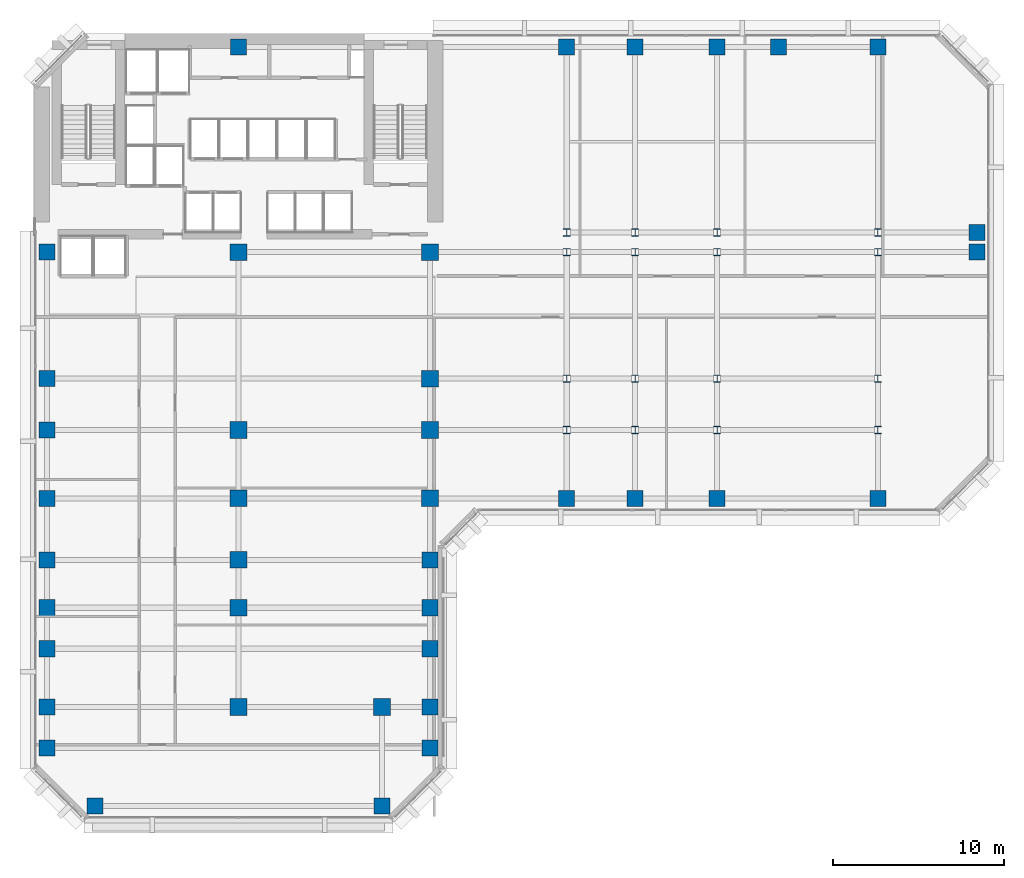
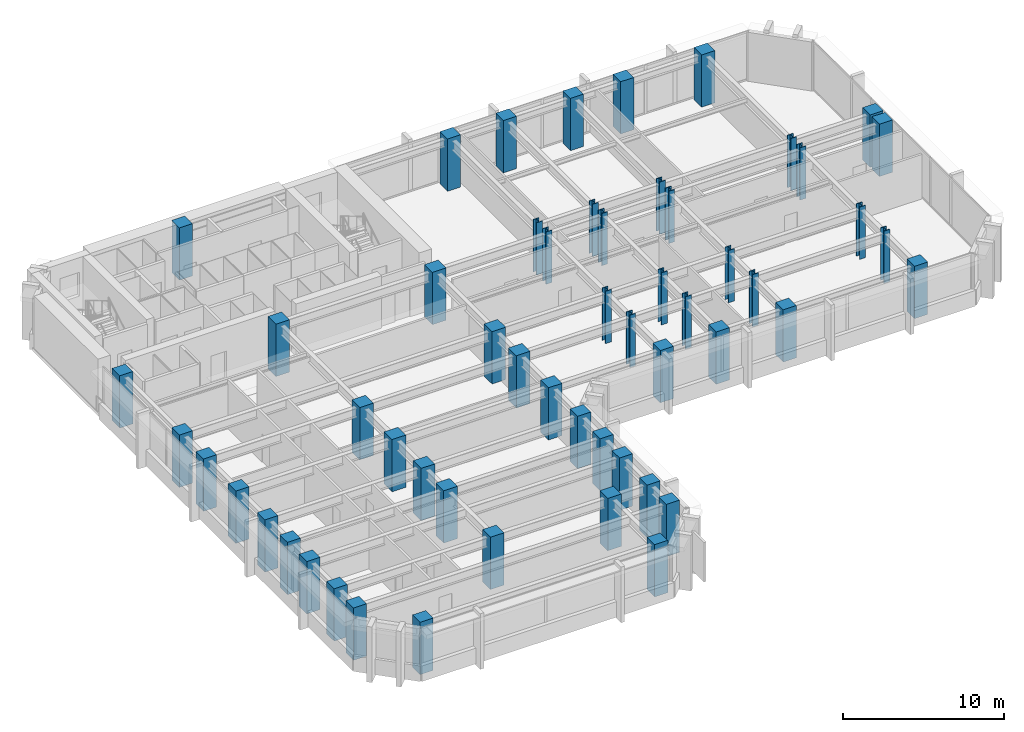
# One storey, part 1 of 13: 55 columns.
"""IFC4 building model written with IfcOpenShell, lengths in metres."""

from ifc_helpers import new_model, si_unit, direction, frame, origin, origin_2d, place, context, subcontext, project, spatial, rectangle, i_section, extrude, material, material_profile, profile_set, type_object, element, save


model = new_model("IFC4")

# Units and contexts
model_context = context("Model", 3, precision=1e-05, world=origin(), true_north=direction((0.0, 1.0)))
body_context = subcontext(model_context, "Body", "Model", "MODEL_VIEW")
ifc_project = project(units=[si_unit("LENGTHUNIT", "METRE"), si_unit("AREAUNIT", "SQUARE_METRE"), si_unit("VOLUMEUNIT", "CUBIC_METRE"), si_unit("PLANEANGLEUNIT", "RADIAN"), si_unit("MASSUNIT", "GRAM", prefix="KILO")], contexts=[model_context])

# Site, building, storey
site_placement = place(None, origin())
site = spatial("IfcSite", under=ifc_project, at=site_placement, CompositionType="ELEMENT")
building_placement = place(site_placement, origin())
building = spatial("IfcBuilding", under=site, at=building_placement, Name="Kefirva Bronze Tower", CompositionType="ELEMENT")
storey_placement = place(building_placement, frame((0.0, 0.0, 98.669921875)))
storey = spatial("IfcBuildingStorey", under=building, at=storey_placement, Name="L23", CompositionType="ELEMENT", Elevation=98.669921875)

# Columns
ifc_material_1 = material(Name="Concrete C60/75", Category="concrete")
ifc_material_profile_1 = material_profile(ifc_material_1, rectangle(XDim=0.93994140625, YDim=0.93994140625, at=origin_2d()), Name="RC 940x940")
ifc_profile_set_1 = profile_set([ifc_material_profile_1], Name="Concrete C60/75")
column_type_1 = type_object("IfcColumnType", Name="RC Column 940x940 Ext", PredefinedType="COLUMN", material=ifc_profile_set_1)
for number, where, z_axis, x_axis, name in (
    (1, (0.800048828125, 4.199951171875, 0.0), (0.0, 0.0, 1.0), (1.0, 0.0, 0.0), "L23 Column C008_042"),
    (2, (0.800048828125, 6.60009765625, 0.0), (0.0, 0.0, 1.0), (1.0, 0.0, 0.0), "L23 Column C008_066"),
    (3, (0.800048828125, 10.0, 0.0), (0.0, 0.0, 1.0), (1.0, 0.0, 0.0), "L23 Column C008_100"),
    (4, (0.800048828125, 12.39990234375, 0.0), (0.0, 0.0, 1.0), (1.0, 0.0, 0.0), "L23 Column C008_124"),
    (5, (0.800048828125, 15.199951171875, 0.0), (0.0, 0.0, 1.0), (1.0, 0.0, 0.0), "L23 Column C008_152"),
    (6, (0.800048828125, 18.800048828125, 0.0), (0.0, 0.0, 1.0), (1.0, 0.0, 0.0), "L23 Column C008_188"),
    (7, (0.800048828125, 22.800048828125, 0.0), (0.0, 0.0, 1.0), (1.0, 0.0, 0.0), "L23 Column C008_228"),
    (8, (0.800048828125, 25.800048828125, 0.0), (0.0, 0.0, 1.0), (1.0, 0.0, 0.0), "L23 Column C008_258"),
    (9, (0.800048828125, 33.199951171875, 0.0), (0.0, 0.0, 1.0), (1.0, 0.0, 0.0), "L23 Column C008_332"),
    (10, (3.60009765625, 0.800048828125, 0.0), (0.0, 0.0, 1.0), (1.0, 0.0, 0.0), "L23 Column C036_008"),
    (11, (12.0, 45.199951171875, 0.0), (0.0, 0.0, 1.0), (1.0, 0.0, 0.0), "L23 Column C120_452"),
    (12, (20.39990234375, 0.800048828125, 0.0), (0.0, 0.0, 1.0), (1.0, 0.0, 0.0), "L23 Column C204_008"),
    (13, (23.199951171875, 4.199951171875, 0.0), (0.0, 0.0, 1.0), (1.0, 0.0, 0.0), "L23 Column C232_042"),
    (14, (23.199951171875, 6.60009765625, 0.0), (0.0, 0.0, 1.0), (1.0, 0.0, 0.0), "L23 Column C232_066"),
    (15, (23.199951171875, 10.0, 0.0), (0.0, 0.0, 1.0), (1.0, 0.0, 0.0), "L23 Column C232_100"),
    (16, (23.199951171875, 12.39990234375, 0.0), (0.0, 0.0, 1.0), (1.0, 0.0, 0.0), "L23 Column C232_124"),
    (17, (23.199951171875, 15.199951171875, 0.0), (0.0, 0.0, 1.0), (1.0, 0.0, 0.0), "L23 Column C232_152"),
    (18, (31.199951171875, 18.800048828125, 0.0), (0.0, 0.0, 1.0), (1.0, 0.0, 0.0), "L23 Column C312_188"),
    (19, (31.199951171875, 45.199951171875, 0.0), (0.0, 0.0, 1.0), (1.0, 0.0, 0.0), "L23 Column C312_452"),
    (20, (35.199951171875, 18.800048828125, 0.0), (0.0, 0.0, 1.0), (1.0, 0.0, 0.0), "L23 Column C352_188"),
    (21, (35.199951171875, 45.199951171875, 0.0), (0.0, 0.0, 1.0), (1.0, 0.0, 0.0), "L23 Column C352_452"),
    (22, (40.0, 18.800048828125, 0.0), (0.0, 0.0, 1.0), (1.0, 0.0, 0.0), "L23 Column C400_188"),
    (23, (40.0, 45.199951171875, 0.0), (0.0, 0.0, 1.0), (1.0, 0.0, 0.0), "L23 Column C400_452"),
    (24, (43.60009765625, 45.199951171875, 0.0), (0.0, 0.0, 1.0), (1.0, 0.0, 0.0), "L23 Column C436_452"),
    (25, (49.39990234375, 18.800048828125, 0.0), (0.0, 0.0, 1.0), (1.0, 0.0, 0.0), "L23 Column C494_188"),
    (26, (49.39990234375, 45.199951171875, 0.0), (0.0, 0.0, 1.0), (1.0, 0.0, 0.0), "L23 Column C494_452"),
    (27, (55.199951171875, 33.199951171875, 0.0), (0.0, 0.0, 1.0), (1.0, 0.0, 0.0), "L23 Column C552_332"),
    (28, (55.199951171875, 34.35009765625, 0.0), (0.0, 0.0, 1.0), (1.0, 0.0, 0.0), "L23 Column C552_344"),
):
    element("IfcColumn", number, at=place(storey_placement, frame(where, z_axis=z_axis, x_axis=x_axis)), inside=storey, type_object=column_type_1, Name=name, PredefinedType="COLUMN", context=body_context, shape_type="SweptSolid", body=[
        extrude(rectangle(XDim=0.93994140625, YDim=0.93994140625, at=origin_2d()), origin(), (0.0, 0.0, 1.0), 3.9599609375),
    ])
ifc_material_profile_2 = material_profile(ifc_material_1, rectangle(XDim=0.97998046875, YDim=0.97998046875, at=origin_2d()), Name="RC 980x980")
ifc_profile_set_2 = profile_set([ifc_material_profile_2], Name="Concrete C60/75")
column_type_2 = type_object("IfcColumnType", Name="RC Column 980x980 Int", PredefinedType="COLUMN", material=ifc_profile_set_2)
for number, where, z_axis, x_axis, name in (
    (29, (12.0, 6.60009765625, 0.0), (0.0, 0.0, 1.0), (1.0, 0.0, 0.0), "L23 Column C120_066"),
    (30, (12.0, 12.39990234375, 0.0), (0.0, 0.0, 1.0), (1.0, 0.0, 0.0), "L23 Column C120_124"),
    (31, (12.0, 15.199951171875, 0.0), (0.0, 0.0, 1.0), (1.0, 0.0, 0.0), "L23 Column C120_152"),
    (32, (12.0, 18.800048828125, 0.0), (0.0, 0.0, 1.0), (1.0, 0.0, 0.0), "L23 Column C120_188"),
    (33, (12.0, 22.800048828125, 0.0), (0.0, 0.0, 1.0), (1.0, 0.0, 0.0), "L23 Column C120_228"),
    (34, (12.0, 33.199951171875, 0.0), (0.0, 0.0, 1.0), (1.0, 0.0, 0.0), "L23 Column C120_332"),
    (35, (20.39990234375, 6.60009765625, 0.0), (0.0, 0.0, 1.0), (1.0, 0.0, 0.0), "L23 Column C204_066"),
    (36, (23.199951171875, 18.800048828125, 0.0), (0.0, 0.0, 1.0), (1.0, 0.0, 0.0), "L23 Column C232_188"),
    (37, (23.199951171875, 22.800048828125, 0.0), (0.0, 0.0, 1.0), (1.0, 0.0, 0.0), "L23 Column C232_228"),
    (38, (23.199951171875, 25.800048828125, 0.0), (0.0, 0.0, 1.0), (1.0, 0.0, 0.0), "L23 Column C232_258"),
    (39, (23.199951171875, 33.199951171875, 0.0), (0.0, 0.0, 1.0), (1.0, 0.0, 0.0), "L23 Column C232_332"),
):
    element("IfcColumn", number, at=place(storey_placement, frame(where, z_axis=z_axis, x_axis=x_axis)), inside=storey, type_object=column_type_2, Name=name, PredefinedType="COLUMN", context=body_context, shape_type="SweptSolid", body=[
        extrude(rectangle(XDim=0.97998046875, YDim=0.97998046875, at=origin_2d()), origin(), (0.0, 0.0, 1.0), 3.9599609375),
    ])
ifc_material_2 = material(Name="Steel S460", Category="steel")
ifc_material_profile_3 = material_profile(ifc_material_2, i_section(OverallWidth=0.41796875, OverallDepth=0.455078125, WebThickness=0.031982421875, FlangeThickness=0.051025390625, at=origin_2d()), Name="HD 400x551")
ifc_profile_set_3 = profile_set([ifc_material_profile_3], Name="Steel S460")
column_type_3 = type_object("IfcColumnType", Name="Steel Column HD 400x551", PredefinedType="COLUMN", material=ifc_profile_set_3)
for number, where, z_axis, x_axis, name in (
    (40, (31.199951171875, 22.800048828125, 0.0), (0.0, 0.0, 1.0), (1.0, 0.0, 0.0), "L23 Column C312_228"),
    (41, (31.199951171875, 25.800048828125, 0.0), (0.0, 0.0, 1.0), (1.0, 0.0, 0.0), "L23 Column C312_258"),
    (42, (31.199951171875, 33.199951171875, 0.0), (0.0, 0.0, 1.0), (1.0, 0.0, 0.0), "L23 Column C312_332"),
    (43, (31.199951171875, 34.35009765625, 0.0), (0.0, 0.0, 1.0), (1.0, 0.0, 0.0), "L23 Column C312_344"),
    (44, (35.199951171875, 22.800048828125, 0.0), (0.0, 0.0, 1.0), (1.0, 0.0, 0.0), "L23 Column C352_228"),
    (45, (35.199951171875, 25.800048828125, 0.0), (0.0, 0.0, 1.0), (1.0, 0.0, 0.0), "L23 Column C352_258"),
    (46, (35.199951171875, 33.199951171875, 0.0), (0.0, 0.0, 1.0), (1.0, 0.0, 0.0), "L23 Column C352_332"),
    (47, (35.199951171875, 34.35009765625, 0.0), (0.0, 0.0, 1.0), (1.0, 0.0, 0.0), "L23 Column C352_344"),
    (48, (40.0, 22.800048828125, 0.0), (0.0, 0.0, 1.0), (1.0, 0.0, 0.0), "L23 Column C400_228"),
    (49, (40.0, 25.800048828125, 0.0), (0.0, 0.0, 1.0), (1.0, 0.0, 0.0), "L23 Column C400_258"),
    (50, (40.0, 33.199951171875, 0.0), (0.0, 0.0, 1.0), (1.0, 0.0, 0.0), "L23 Column C400_332"),
    (51, (40.0, 34.35009765625, 0.0), (0.0, 0.0, 1.0), (1.0, 0.0, 0.0), "L23 Column C400_344"),
    (52, (49.39990234375, 22.800048828125, 0.0), (0.0, 0.0, 1.0), (1.0, 0.0, 0.0), "L23 Column C494_228"),
    (53, (49.39990234375, 25.800048828125, 0.0), (0.0, 0.0, 1.0), (1.0, 0.0, 0.0), "L23 Column C494_258"),
    (54, (49.39990234375, 33.199951171875, 0.0), (0.0, 0.0, 1.0), (1.0, 0.0, 0.0), "L23 Column C494_332"),
    (55, (49.39990234375, 34.35009765625, 0.0), (0.0, 0.0, 1.0), (1.0, 0.0, 0.0), "L23 Column C494_344"),
):
    element("IfcColumn", number, at=place(storey_placement, frame(where, z_axis=z_axis, x_axis=x_axis)), inside=storey, type_object=column_type_3, Name=name, PredefinedType="COLUMN", context=body_context, shape_type="SweptSolid", body=[
        extrude(i_section(OverallWidth=0.41796875, OverallDepth=0.455078125, WebThickness=0.031982421875, FlangeThickness=0.051025390625, at=origin_2d()), origin(), (0.0, 0.0, 1.0), 3.9599609375),
    ])

save(model, "model.ifc")
